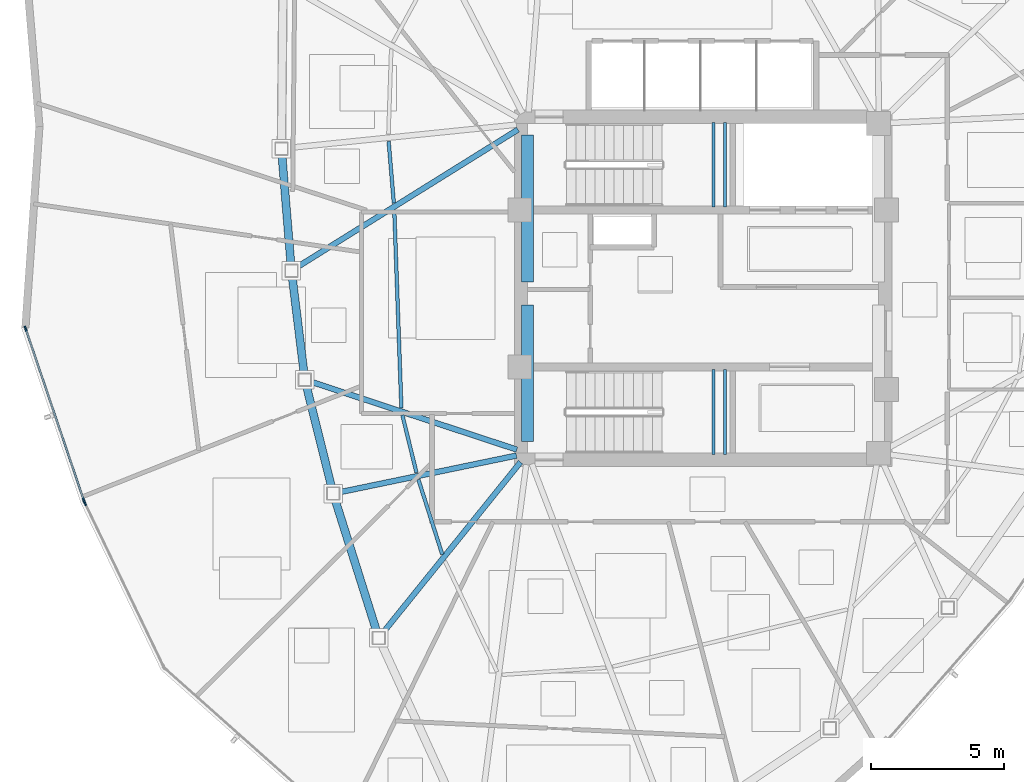
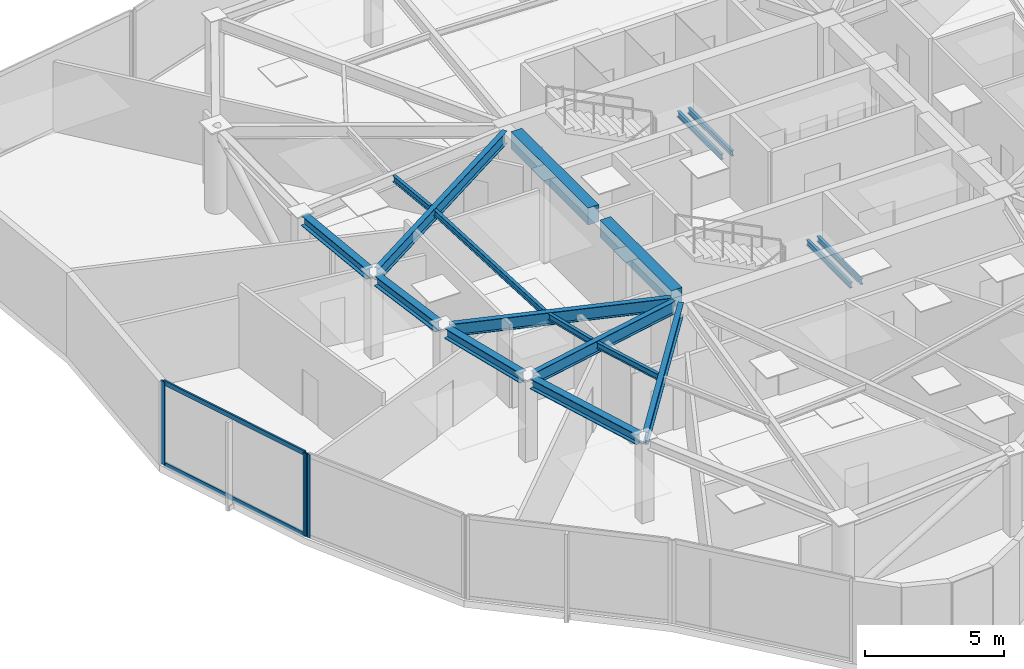
# One storey, part 3 of 13: 18 beams, 5 members, 2 elements without a shape of their own.
"""IFC4 building model written with IfcOpenShell, lengths in metres."""

from ifc_helpers import new_model, si_unit, direction, frame, origin, origin_2d, place, context, subcontext, project, spatial, rectangle, hollow_rectangle, i_section, extrude, source, transform, mapped, material, layer, layer_set, material_profile, profile_set, type_object, type_shapes, element, aggregate, save


model = new_model("IFC4")

# Units and contexts
model_context = context("Model", 3, precision=1e-05, world=origin(), true_north=direction((0.0, 1.0)))
body_context = subcontext(model_context, "Body", "Model", "MODEL_VIEW")
ifc_project = project(units=[si_unit("LENGTHUNIT", "METRE"), si_unit("AREAUNIT", "SQUARE_METRE"), si_unit("VOLUMEUNIT", "CUBIC_METRE"), si_unit("PLANEANGLEUNIT", "RADIAN"), si_unit("MASSUNIT", "GRAM", prefix="KILO")], contexts=[model_context])

# Site, building, storey
site_placement = place(None, origin())
site = spatial("IfcSite", under=ifc_project, at=site_placement, CompositionType="ELEMENT")
building_placement = place(site_placement, origin())
building = spatial("IfcBuilding", under=site, at=building_placement, Name="Tavelor Broadcast Tower", CompositionType="ELEMENT")
storey_placement = place(building_placement, frame((0.0, 0.0, 261.64990234375)))
storey = spatial("IfcBuildingStorey", under=building, at=storey_placement, Name="L62", CompositionType="ELEMENT", Elevation=261.64990234375)

# Beams
ifc_material_1 = material(Name="Concrete C40/50", Category="concrete")
ifc_material_profile_1 = material_profile(ifc_material_1, rectangle(XDim=0.449951171875, YDim=0.75, at=origin_2d()), Name="RC 450x750")
ifc_profile_set_1 = profile_set([ifc_material_profile_1], Name="Concrete C40/50")
beam_type_1 = type_object("IfcBeamType", Name="Basement Core Trim Beam 450x750", PredefinedType="BEAM", material=ifc_profile_set_1)
beam_1_placement = place(storey_placement, frame((43.39990234375, 45.23193359375, 3.275146484375), z_axis=(0.0, 1.0, 0.0), x_axis=(-1.0, 0.0, 0.0)))
element("IfcBeam", 1, at=beam_1_placement, inside=storey, type_object=beam_type_1, Name="L62 Core West-N Tie Girder", PredefinedType="BEAM", context=body_context, shape_type="SweptSolid", body=[
    extrude(rectangle(XDim=0.449951171875, YDim=0.75, at=origin_2d()), origin(), (0.0, 0.0, 1.0), 5.5361328125),
])
beam_2_placement = place(storey_placement, frame((43.39990234375, 39.23193359375, 3.275146484375), z_axis=(0.0, 1.0, 0.0), x_axis=(-1.0, 0.0, 0.0)))
element("IfcBeam", 2, at=beam_2_placement, inside=storey, type_object=beam_type_1, Name="L62 Core West-S Tie Girder", PredefinedType="BEAM", context=body_context, shape_type="SweptSolid", body=[
    extrude(rectangle(XDim=0.449951171875, YDim=0.75, at=origin_2d()), origin(), (0.0, 0.0, 1.0), 5.135986328125),
])
ifc_material_2 = material(Name="Steel S355", Category="steel")
ifc_material_profile_2 = material_profile(ifc_material_2, i_section(OverallWidth=0.135009765625, OverallDepth=0.27001953125, WebThickness=0.006591796875, FlangeThickness=0.01025390625, at=origin_2d()), Name="IPE 270")
ifc_profile_set_2 = profile_set([ifc_material_profile_2], Name="Steel S355")
beam_type_2 = type_object("IfcBeamType", Name="Composite Floor Joist T6 IPE 270", PredefinedType="JOIST", material=ifc_profile_set_2)
beam_3_placement = place(storey_placement, frame((38.168701171875, 50.531982421875, 3.51513671875), z_axis=(0.084031501076, -0.996463098578, 0.0), x_axis=(0.996463098578, 0.084031501076, 0.0)))
element("IfcBeam", 3, at=beam_3_placement, inside=storey, type_object=beam_type_2, Name="L62 Secondary Composite Floor Joist 02", PredefinedType="JOIST", context=body_context, shape_type="SweptSolid", body=[
    extrude(i_section(OverallWidth=0.135009765625, OverallDepth=0.27001953125, WebThickness=0.006591796875, FlangeThickness=0.01025390625, at=origin_2d()), origin(), (0.0, 0.0, 1.0), 2.3359375),
])
beam_4_placement = place(storey_placement, frame((38.381103515625, 47.9365234375, 3.51513671875), z_axis=(0.035987571959, -0.999352237534, 0.0), x_axis=(0.999352237534, 0.035987571959, 0.0)))
element("IfcBeam", 4, at=beam_4_placement, inside=storey, type_object=beam_type_2, Name="L62 Secondary Composite Floor Joist 03", PredefinedType="JOIST", context=body_context, shape_type="SweptSolid", body=[
    extrude(i_section(OverallWidth=0.135009765625, OverallDepth=0.27001953125, WebThickness=0.006591796875, FlangeThickness=0.01025390625, at=origin_2d()), origin(), (0.0, 0.0, 1.0), 7.442138671875),
])
beam_5_placement = place(storey_placement, frame((38.685546875, 40.23486328125, 3.51513671875), z_axis=(0.238024718386, -0.971259096965, 0.0), x_axis=(0.971259096965, 0.238024718386, 0.0)))
element("IfcBeam", 5, at=beam_5_placement, inside=storey, type_object=beam_type_2, Name="L62 Secondary Composite Floor Joist 04", PredefinedType="JOIST", context=body_context, shape_type="SweptSolid", body=[
    extrude(i_section(OverallWidth=0.135009765625, OverallDepth=0.27001953125, WebThickness=0.006591796875, FlangeThickness=0.01025390625, at=origin_2d()), origin(), (0.0, 0.0, 1.0), 2.22998046875),
])
beam_6_placement = place(storey_placement, frame((39.2890625, 37.810791015625, 3.51513671875), z_axis=(0.303612721519, -0.952795526507, 0.0), x_axis=(0.952795526507, 0.303612721519, 0.0)))
element("IfcBeam", 6, at=beam_6_placement, inside=storey, type_object=beam_type_2, Name="L62 Secondary Composite Floor Joist 05", PredefinedType="JOIST", context=body_context, shape_type="SweptSolid", body=[
    extrude(i_section(OverallWidth=0.135009765625, OverallDepth=0.27001953125, WebThickness=0.006591796875, FlangeThickness=0.01025390625, at=origin_2d()), origin(), (0.0, 0.0, 1.0), 2.9560546875),
])
ifc_material_profile_3 = material_profile(ifc_material_2, i_section(OverallWidth=0.300048828125, OverallDepth=0.449951171875, WebThickness=0.013916015625, FlangeThickness=0.02587890625, at=origin_2d()), Name="HEB 450")
ifc_profile_set_3 = profile_set([ifc_material_profile_3], Name="Steel S355")
beam_type_3 = type_object("IfcBeamType", Name="Perimeter Spandrel Beam T6 HEB 450", PredefinedType="SPANDREL", material=ifc_profile_set_3)
beam_7_placement = place(storey_placement, frame((34.15673828125, 50.0166015625, 3.425048828125), z_axis=(0.081762604382, -0.996651833152, 0.0), x_axis=(0.996651833152, 0.081762604382, 0.0)))
element("IfcBeam", 7, at=beam_7_placement, inside=storey, type_object=beam_type_3, Name="L62 Framed-Tube Ring Spandrel 02", PredefinedType="SPANDREL", context=body_context, shape_type="SweptSolid", body=[
    extrude(i_section(OverallWidth=0.300048828125, OverallDepth=0.449951171875, WebThickness=0.013916015625, FlangeThickness=0.02587890625, at=origin_2d()), origin(), (0.0, 0.0, 1.0), 4.126708984375),
])
beam_8_placement = place(storey_placement, frame((34.54296875, 45.42626953125, 3.425048828125), z_axis=(0.122281853392, -0.992495414766, 0.0), x_axis=(0.992495414766, 0.122281853392, 0.0)))
element("IfcBeam", 8, at=beam_8_placement, inside=storey, type_object=beam_type_3, Name="L62 Framed-Tube Ring Spandrel 03", PredefinedType="SPANDREL", context=body_context, shape_type="SweptSolid", body=[
    extrude(i_section(OverallWidth=0.300048828125, OverallDepth=0.449951171875, WebThickness=0.013916015625, FlangeThickness=0.02587890625, at=origin_2d()), origin(), (0.0, 0.0, 1.0), 3.651611328125),
])
beam_9_placement = place(storey_placement, frame((35.076904296875, 41.3310546875, 3.425048828125), z_axis=(0.241279026366, -0.97045578541, 0.0), x_axis=(0.97045578541, 0.241279026366, 0.0)))
element("IfcBeam", 9, at=beam_9_placement, inside=storey, type_object=beam_type_3, Name="L62 Framed-Tube Ring Spandrel 04", PredefinedType="SPANDREL", context=body_context, shape_type="SweptSolid", body=[
    extrude(i_section(OverallWidth=0.300048828125, OverallDepth=0.449951171875, WebThickness=0.013916015625, FlangeThickness=0.02587890625, at=origin_2d()), origin(), (0.0, 0.0, 1.0), 3.93212890625),
])
beam_10_placement = place(storey_placement, frame((36.15576171875, 37.053466796875, 3.425048828125), z_axis=(0.300999122242, -0.953624416849, 0.0), x_axis=(0.953624416849, 0.300999122242, 0.0)))
element("IfcBeam", 10, at=beam_10_placement, inside=storey, type_object=beam_type_3, Name="L62 Framed-Tube Ring Spandrel 05", PredefinedType="SPANDREL", context=body_context, shape_type="SweptSolid", body=[
    extrude(i_section(OverallWidth=0.300048828125, OverallDepth=0.449951171875, WebThickness=0.013916015625, FlangeThickness=0.02587890625, at=origin_2d()), origin(), (0.0, 0.0, 1.0), 5.212890625),
])
ifc_material_profile_4 = material_profile(ifc_material_2, i_section(OverallWidth=0.2099609375, OverallDepth=0.550048828125, WebThickness=0.010986328125, FlangeThickness=0.01708984375, at=origin_2d()), Name="IPE 550")
ifc_profile_set_4 = profile_set([ifc_material_profile_4], Name="Steel S355")
beam_type_4 = type_object("IfcBeamType", Name="Radial Floor Girder T6 IPE 550", PredefinedType="BEAM", material=ifc_profile_set_4)
beam_11_placement = place(storey_placement, frame((43.033203125, 50.9716796875, 3.375), z_axis=(-0.848789723342, -0.528730560445, 0.0), x_axis=(0.528730560445, -0.848789723342, 0.0)))
element("IfcBeam", 11, at=beam_11_placement, inside=storey, type_object=beam_type_4, Name="L62 Radial Primary Floor Girder 03", PredefinedType="BEAM", context=body_context, shape_type="SweptSolid", body=[
    extrude(i_section(OverallWidth=0.2099609375, OverallDepth=0.550048828125, WebThickness=0.010986328125, FlangeThickness=0.01708984375, at=origin_2d()), origin(), (0.0, 0.0, 1.0), 9.79736328125),
])
beam_12_placement = place(storey_placement, frame((42.98974609375, 38.935302734375, 3.375), z_axis=(-0.949690563793, 0.313189771613, 0.0), x_axis=(-0.313189771613, -0.949690563793, 0.0)))
element("IfcBeam", 12, at=beam_12_placement, inside=storey, type_object=beam_type_4, Name="L62 Radial Primary Floor Girder 04", PredefinedType="BEAM", context=body_context, shape_type="SweptSolid", body=[
    extrude(i_section(OverallWidth=0.2099609375, OverallDepth=0.550048828125, WebThickness=0.010986328125, FlangeThickness=0.01708984375, at=origin_2d()), origin(), (0.0, 0.0, 1.0), 8.153076171875),
])
beam_13_placement = place(storey_placement, frame((42.97705078125, 38.71240234375, 3.375), z_axis=(-0.979151221162, -0.203132681016, 0.0), x_axis=(0.203132681016, -0.979151221162, 0.0)))
element("IfcBeam", 13, at=beam_13_placement, inside=storey, type_object=beam_type_4, Name="L62 Radial Primary Floor Girder 05", PredefinedType="BEAM", context=body_context, shape_type="SweptSolid", body=[
    extrude(i_section(OverallWidth=0.2099609375, OverallDepth=0.550048828125, WebThickness=0.010986328125, FlangeThickness=0.01708984375, at=origin_2d()), origin(), (0.0, 0.0, 1.0), 6.80029296875),
])
beam_14_placement = place(storey_placement, frame((43.12890625, 38.463623046875, 3.375), z_axis=(-0.627814320215, -0.778363141042, 0.0), x_axis=(0.778363141042, -0.627814320215, 0.0)))
element("IfcBeam", 14, at=beam_14_placement, inside=storey, type_object=beam_type_4, Name="L62 Radial Primary Floor Girder 06", PredefinedType="BEAM", context=body_context, shape_type="SweptSolid", body=[
    extrude(i_section(OverallWidth=0.2099609375, OverallDepth=0.550048828125, WebThickness=0.010986328125, FlangeThickness=0.01708984375, at=origin_2d()), origin(), (0.0, 0.0, 1.0), 8.252685546875),
])
ifc_material_profile_5 = material_profile(ifc_material_2, i_section(OverallWidth=0.1201171875, OverallDepth=0.239990234375, WebThickness=0.006103515625, FlangeThickness=0.009765625, at=origin_2d()), Name="IPE 240")
ifc_profile_set_5 = profile_set([ifc_material_profile_5], Name="Steel S355")
beam_type_5 = type_object("IfcBeamType", Name="Stairwell Landing Support Trimmer Beam IPE240", PredefinedType="BEAM", material=ifc_profile_set_5)
for number, where, z_axis, x_axis, name in (
    (15, (50.385009765625, 48.06005859375, 1.66015625), (0.0, 1.0, 0.0), (-1.0, 0.0, 0.0), "L62 Stair Landing Support Beam 165"),
    (16, (50.824951171875, 48.06005859375, 1.66015625), (0.0, 1.0, 0.0), (-1.0, 0.0, 0.0), "L62 Stair Landing Support Beam 166"),
    (17, (50.385009765625, 38.760009765625, 1.66015625), (0.0, 1.0, 0.0), (-1.0, 0.0, 0.0), "L62 Stair Landing Support Beam 379"),
    (18, (50.824951171875, 38.760009765625, 1.66015625), (0.0, 1.0, 0.0), (-1.0, 0.0, 0.0), "L62 Stair Landing Support Beam 380"),
):
    element("IfcBeam", number, at=place(storey_placement, frame(where, z_axis=z_axis, x_axis=x_axis)), inside=storey, type_object=beam_type_5, Name=name, PredefinedType="BEAM", context=body_context, shape_type="SweptSolid", body=[
        extrude(i_section(OverallWidth=0.1201171875, OverallDepth=0.239990234375, WebThickness=0.006103515625, FlangeThickness=0.009765625, at=origin_2d()), origin(), (0.0, 0.0, 1.0), 3.179931640625),
    ])

# Curtain wall, members
ifc_material_3 = material(Name="Architectural Anodized Aluminium", Category="aluminium")
ifc_layer = layer(ifc_material_3, 0.199951171875)
ifc_layer_set = layer_set([ifc_layer], Name="Architectural Anodized Aluminium")
curtain_wall_type = type_object("IfcCurtainWallType", Name="Tower High-Zone Triple-Glazed Curtain Wall CW04", PredefinedType="NOTDEFINED", material=ifc_layer_set)
curtain_wall_1_placement = place(storey_placement, origin())
curtain_wall_1 = element("IfcCurtainWall", 19, at=curtain_wall_1_placement, inside=storey, type_object=curtain_wall_type, Name="L62 Curtain Wall CW04 Run 673", PredefinedType="NOTDEFINED")
ifc_material_profile_6 = material_profile(ifc_material_3, hollow_rectangle(XDim=0.070068359375, YDim=0.199951171875, WallThickness=0.02197265625, at=origin_2d()), Name="RHS 70x200x22")
ifc_profile_set_6 = profile_set([ifc_material_profile_6], Name="Architectural Anodized Aluminium")
member_type_1 = type_object("IfcMemberType", Name="CW04 Extruded Aluminium Mullion 70x200", PredefinedType="MULLION", material=ifc_profile_set_6)
shared_shape_1 = source(origin(), body_context, "Body", "SweptSolid", [
    extrude(hollow_rectangle(XDim=0.070068359375, YDim=0.199951171875, WallThickness=0.02197265625, at=origin_2d()), origin(), (0.0, 0.0, 1.0), 3.650146484375),
])
type_shapes(member_type_1, [shared_shape_1])
member_1_placement = place(storey_placement, frame((24.5166015625, 43.484375, 0.0), z_axis=(0.0, 0.0, 1.0), x_axis=(0.94707357425, 0.321016580501, 0.0)))
member_1 = element("IfcMember", 20, at=member_1_placement, type_object=member_type_1, Name="CW04 mullion 1", PredefinedType="MULLION", context=body_context, shape_type="MappedRepresentation", body=[
    mapped(shared_shape_1, transform((0.0, 0.0, 0.0), scale=1.0)),
])
member_2_placement = place(storey_placement, frame((26.70849609375, 37.01806640625, 0.0), z_axis=(0.0, 0.0, 1.0), x_axis=(0.94707357425, 0.321016580501, 0.0)))
member_2 = element("IfcMember", 21, at=member_2_placement, type_object=member_type_1, Name="CW04 mullion 2", PredefinedType="MULLION", context=body_context, shape_type="MappedRepresentation", body=[
    mapped(shared_shape_1, transform((0.0, 0.0, 0.0), scale=1.0)),
])

# Curtain wall, member
curtain_wall_2_placement = place(storey_placement, origin())
curtain_wall_2 = element("IfcCurtainWall", 22, at=curtain_wall_2_placement, inside=storey, type_object=curtain_wall_type, Name="L62 Curtain Wall CW04 Run 674", PredefinedType="NOTDEFINED")
member_3_placement = place(storey_placement, frame((26.746337890625, 36.925537109375, 0.0), z_axis=(0.0, 0.0, 1.0), x_axis=(0.901264208021, 0.433269924344, 0.0)))
member_3 = element("IfcMember", 23, at=member_3_placement, type_object=member_type_1, Name="CW04 mullion 1", PredefinedType="MULLION", context=body_context, shape_type="MappedRepresentation", body=[
    mapped(shared_shape_1, transform((0.0, 0.0, 0.0), scale=1.0)),
])
aggregate(curtain_wall_2, [member_3])

# Member
ifc_material_profile_7 = material_profile(ifc_material_3, hollow_rectangle(XDim=0.070068359375, YDim=0.199951171875, WallThickness=0.02197265625, at=origin_2d()), Name="RHS 70x200x22")
ifc_profile_set_7 = profile_set([ifc_material_profile_7], Name="Architectural Anodized Aluminium")
member_type_2 = type_object("IfcMemberType", Name="CW04 Extruded Aluminium Transom 70x200", PredefinedType="USERDEFINED", material=ifc_profile_set_7)
shared_shape_2 = source(origin(), body_context, "Body", "SweptSolid", [
    extrude(hollow_rectangle(XDim=0.070068359375, YDim=0.199951171875, WallThickness=0.02197265625, at=origin_2d()), origin(), (0.0, 0.0, 1.0), 6.7578125),
])
type_shapes(member_type_2, [shared_shape_2])
member_4_placement = place(storey_placement, frame((24.52783203125, 43.451171875, 0.03515625), z_axis=(0.32102500158, -0.947070719831, 0.0), x_axis=(0.947070719831, 0.32102500158, 0.0)))
member_4 = element("IfcMember", 24, at=member_4_placement, type_object=member_type_2, Name="CW04 transom 1.1", ObjectType="TRANSOM", PredefinedType="USERDEFINED", context=body_context, shape_type="MappedRepresentation", body=[
    mapped(shared_shape_2, transform((0.0, 0.0, 0.0), scale=1.0)),
])

member_5_placement = place(storey_placement, frame((24.52783203125, 43.451171875, 3.614990234375), z_axis=(0.32102500158, -0.947070719831, 0.0), x_axis=(0.947070719831, 0.32102500158, 0.0)))
member_5 = element("IfcMember", 25, at=member_5_placement, type_object=member_type_2, Name="CW04 transom 1.2", ObjectType="TRANSOM", PredefinedType="USERDEFINED", context=body_context, shape_type="MappedRepresentation", body=[
    mapped(shared_shape_2, transform((0.0, 0.0, 0.0), scale=1.0)),
])

aggregate(curtain_wall_1, [member_1, member_2, member_4, member_5])

save(model, "model.ifc")
